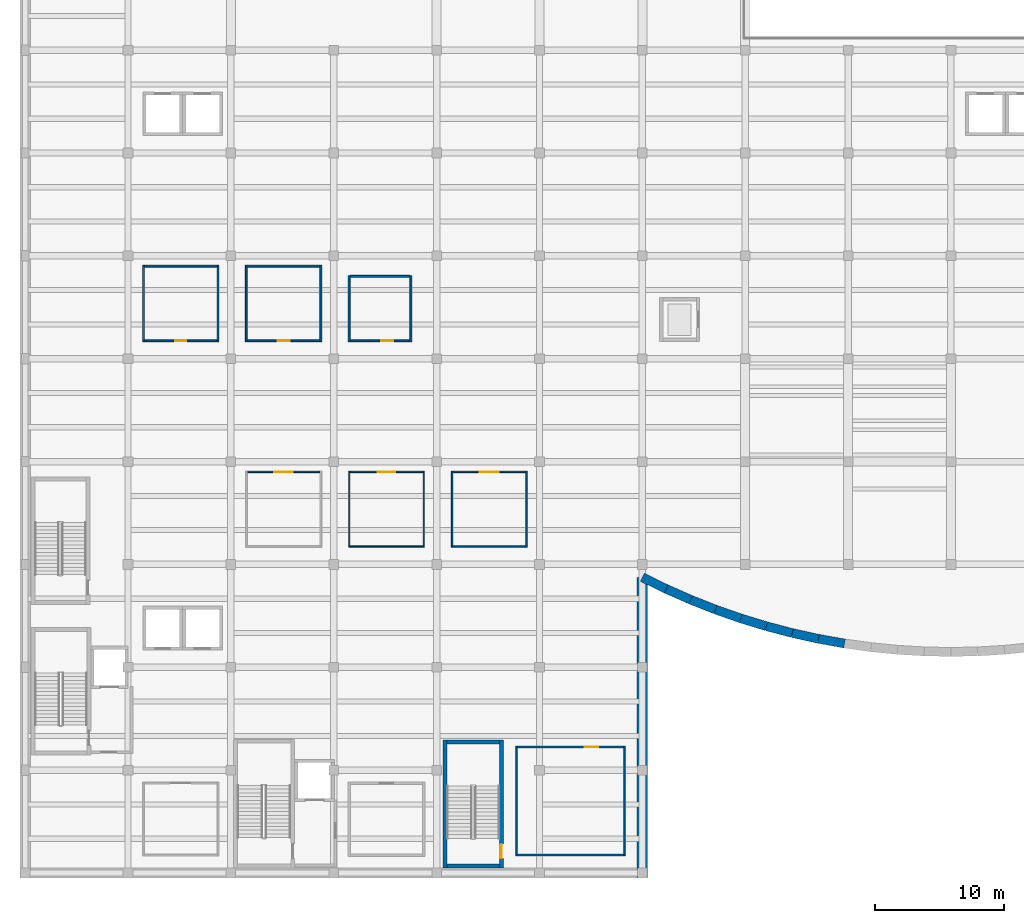
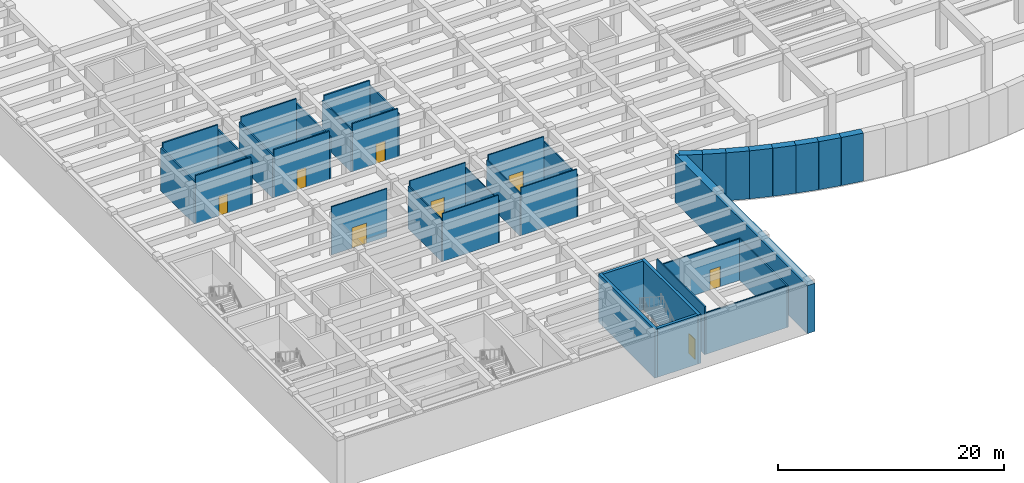
# One storey, part 6 of 19: 38 walls, 8 doors, 8 openings.
"""IFC4 building model written with IfcOpenShell, lengths in metres."""

from ifc_helpers import new_model, si_unit, direction, frame, frame_2d, origin, place, context, subcontext, project, spatial, rectangle, extrude, material, layer, layer_set, type_object, element, fill, save


model = new_model("IFC4")

# Units and contexts
model_context = context("Model", 3, precision=1e-05, world=origin(), true_north=direction((0.0, 1.0)))
body_context = subcontext(model_context, "Body", "Model", "MODEL_VIEW")
ifc_project = project(units=[si_unit("LENGTHUNIT", "METRE"), si_unit("AREAUNIT", "SQUARE_METRE"), si_unit("VOLUMEUNIT", "CUBIC_METRE"), si_unit("PLANEANGLEUNIT", "RADIAN"), si_unit("MASSUNIT", "GRAM", prefix="KILO")], contexts=[model_context])

# Site, building, storey
site_placement = place(None, origin())
site = spatial("IfcSite", under=ifc_project, at=site_placement, CompositionType="ELEMENT")
building_placement = place(site_placement, origin())
building = spatial("IfcBuilding", under=site, at=building_placement, Name="Drelvath Fold Interchange", CompositionType="ELEMENT")
storey_placement = place(building_placement, frame((0.0, 0.0, -5.60009765625)))
storey = spatial("IfcBuildingStorey", under=building, at=storey_placement, Name="B1", CompositionType="ELEMENT", Elevation=-5.60009765625)

# Wall
ifc_material_1 = material(Name="Concrete f'c 45 MPa (6500 psi)", Category="concrete")
ifc_layer_1 = layer(ifc_material_1, 0.300048828125, Name="Concrete f'c 45 MPa (6500 psi)")
ifc_layer_set_1 = layer_set([ifc_layer_1], Name="Concrete f'c 45 MPa (6500 psi)")
wall_type_1 = type_object("IfcWallType", Name="WL-CR300", PredefinedType="SHEAR", material=ifc_layer_set_1)
wall_1_placement = place(storey_placement, frame((36.800048828125, 3.550048828125, 0.0), z_axis=(0.0, 0.0, 1.0), x_axis=(1.0, 0.0, 0.0)))
element("IfcWall", 1, at=wall_1_placement, inside=storey, type_object=wall_type_1, Name="ST-04 B1 south core wall", PredefinedType="SHEAR", context=body_context, shape_type="SweptSolid", body=[
    extrude(rectangle(XDim=4.099853515625, YDim=0.300048828125, at=frame_2d((2.0498046875, 0.0))), origin(), (0.0, 0.0, 1.0), 5.275146484375),
])

# Wall, opening, door
wall_2_placement = place(storey_placement, frame((41.050048828125, 3.39990234375, 0.0), z_axis=(0.0, 0.0, 1.0), x_axis=(0.0, 1.0, 0.0)))
wall_2 = element("IfcWall", 2, at=wall_2_placement, inside=storey, type_object=wall_type_1, Name="ST-04 B1 east core wall", PredefinedType="SHEAR", context=body_context, shape_type="SweptSolid", body=[
    extrude(rectangle(XDim=9.9501953125, YDim=0.300048828125, at=frame_2d((4.97509765625, 0.0))), origin(), (0.0, 0.0, 1.0), 5.275146484375),
])
opening_1_placement = place(wall_2_placement, frame((0.75, 0.0, 0.0)))
opening_1 = element("IfcOpeningElement", 3, at=opening_1_placement, cuts=wall_2, Name="Opening D-B1-026", PredefinedType="OPENING", context=body_context, shape_type="SweptSolid", body=[
    extrude(rectangle(XDim=1.10009765625, YDim=2.14990234375, at=frame_2d((0.550048828125, 1.074951171875))), frame((0.0, 0.159912109375, 0.0), z_axis=(0.0, -1.0, 0.0), x_axis=(1.0, 0.0, 0.0)), (0.0, 0.0, 1.0), 0.320068359375),
])
ifc_material_2 = material(Name="Insulated Hollow Metal Door Assembly")
door_type_1 = type_object("IfcDoorType", Name="DR-ST1100", OperationType="NOTDEFINED", PredefinedType="DOOR", material=ifc_material_2)
door_1_placement = place(opening_1_placement, origin())
door_1 = element("IfcDoor", 4, at=door_1_placement, inside=storey, type_object=door_type_1, Name="ST-04 B1 stair fire door D-B1-026", OperationType="SINGLE_SWING_RIGHT", OverallHeight=2.14990234375, OverallWidth=1.10009765625, PredefinedType="DOOR", context=body_context, shape_type="SweptSolid", body=[
    extrude(rectangle(XDim=1.10009765625, YDim=2.14990234375, at=frame_2d((0.550048828125, 1.074951171875))), frame((0.0, 0.02490234375, 0.0), z_axis=(0.0, -1.0, 0.0), x_axis=(1.0, 0.0, 0.0)), (0.0, 0.0, 1.0), 0.050048828125),
])
fill(opening_1, door_1)

# Walls
wall_3_placement = place(storey_placement, frame((40.89990234375, 13.199951171875, 0.0), z_axis=(0.0, 0.0, 1.0), x_axis=(-1.0, 0.0, 0.0)))
element("IfcWall", 5, at=wall_3_placement, inside=storey, type_object=wall_type_1, Name="ST-04 B1 north core wall", PredefinedType="SHEAR", context=body_context, shape_type="SweptSolid", body=[
    extrude(rectangle(XDim=4.099853515625, YDim=0.300048828125, at=frame_2d((2.0498046875, 0.0))), origin(), (0.0, 0.0, 1.0), 5.275146484375),
])
wall_4_placement = place(storey_placement, frame((36.64990234375, 13.35009765625, 0.0), z_axis=(0.0, 0.0, 1.0), x_axis=(0.0, -1.0, 0.0)))
element("IfcWall", 6, at=wall_4_placement, inside=storey, type_object=wall_type_1, Name="ST-04 B1 west core wall", PredefinedType="SHEAR", context=body_context, shape_type="SweptSolid", body=[
    extrude(rectangle(XDim=9.9501953125, YDim=0.300048828125, at=frame_2d((4.97509765625, 0.0))), origin(), (0.0, 0.0, 1.0), 5.275146484375),
])
ifc_layer_2 = layer(ifc_material_1, 0.699951171875, Name="Concrete f'c 45 MPa (6500 psi)")
ifc_layer_set_2 = layer_set([ifc_layer_2], Name="Concrete f'c 45 MPa (6500 psi)")
wall_type_2 = type_object("IfcWallType", Name="WL-DW700", PredefinedType="SOLIDWALL", material=ifc_layer_set_2)
wall_5_placement = place(storey_placement, frame((52.0, 26.0, 0.0), z_axis=(0.0, 0.0, 1.0), x_axis=(0.898225606886, -0.439534707543, 0.0)))
element("IfcWall", 7, at=wall_5_placement, inside=storey, type_object=wall_type_2, Name="B1 diaphragm wall 39", PredefinedType="SOLIDWALL", context=body_context, shape_type="SweptSolid", body=[
    extrude(rectangle(XDim=2.077392578125, YDim=0.699951171875, at=frame_2d((1.03857421875, 0.0))), origin(), (0.0, 0.0, 1.0), 5.18017578125),
])
wall_6_placement = place(storey_placement, frame((53.865966796875, 25.0869140625, 0.0), z_axis=(0.0, 0.0, 1.0), x_axis=(0.914990571721, -0.403475220628, 0.0)))
element("IfcWall", 8, at=wall_6_placement, inside=storey, type_object=wall_type_2, Name="B1 diaphragm wall 40", PredefinedType="SOLIDWALL", context=body_context, shape_type="SweptSolid", body=[
    extrude(rectangle(XDim=2.07666015625, YDim=0.699951171875, at=frame_2d((1.038330078125, 0.0))), origin(), (0.0, 0.0, 1.0), 5.18017578125),
])
for number, where, z_axis, x_axis, name in (
    (9, (55.76611328125, 24.2490234375, 0.0), (0.0, 0.0, 1.0), (0.930097108534, -0.367313719723, 0.0), "B1 diaphragm wall 41"),
    (10, (57.697998046875, 23.486083984375, 0.0), (0.0, 0.0, 1.0), (0.944048769858, -0.329805882498, 0.0), "B1 diaphragm wall 42"),
):
    element("IfcWall", number, at=place(storey_placement, frame(where, z_axis=z_axis, x_axis=x_axis)), inside=storey, type_object=wall_type_2, Name=name, PredefinedType="SOLIDWALL", context=body_context, shape_type="SweptSolid", body=[
        extrude(rectangle(XDim=2.0771484375, YDim=0.699951171875, at=frame_2d((1.03857421875, 0.0))), origin(), (0.0, 0.0, 1.0), 5.18017578125),
    ])
wall_7_placement = place(storey_placement, frame((59.658935546875, 22.801025390625, 0.0), z_axis=(0.0, 0.0, 1.0), x_axis=(0.956341531937, -0.292251388862, 0.0)))
element("IfcWall", 11, at=wall_7_placement, inside=storey, type_object=wall_type_2, Name="B1 diaphragm wall 43", PredefinedType="SOLIDWALL", context=body_context, shape_type="SweptSolid", body=[
    extrude(rectangle(XDim=2.07666015625, YDim=0.699951171875, at=frame_2d((1.038330078125, 0.0))), origin(), (0.0, 0.0, 1.0), 5.18017578125),
])
wall_8_placement = place(storey_placement, frame((61.64501953125, 22.194091796875, 0.0), z_axis=(0.0, 0.0, 1.0), x_axis=(0.967031901637, -0.254655259551, 0.0)))
element("IfcWall", 12, at=wall_8_placement, inside=storey, type_object=wall_type_2, Name="B1 diaphragm wall 44", PredefinedType="SOLIDWALL", context=body_context, shape_type="SweptSolid", body=[
    extrude(rectangle(XDim=2.07763671875, YDim=0.699951171875, at=frame_2d((1.038818359375, 0.0))), origin(), (0.0, 0.0, 1.0), 5.18017578125),
])
wall_9_placement = place(storey_placement, frame((63.654052734375, 21.6650390625, 0.0), z_axis=(0.0, 0.0, 1.0), x_axis=(0.976454627241, -0.215722879965, 0.0)))
element("IfcWall", 13, at=wall_9_placement, inside=storey, type_object=wall_type_2, Name="B1 diaphragm wall 45", PredefinedType="SOLIDWALL", context=body_context, shape_type="SweptSolid", body=[
    extrude(rectangle(XDim=2.07666015625, YDim=0.699951171875, at=frame_2d((1.038330078125, 0.0))), origin(), (0.0, 0.0, 1.0), 5.18017578125),
])
wall_10_placement = place(storey_placement, frame((65.681884765625, 21.217041015625, 0.0), z_axis=(0.0, 0.0, 1.0), x_axis=(0.984186192965, -0.177137058736, 0.0)))
element("IfcWall", 14, at=wall_10_placement, inside=storey, type_object=wall_type_2, Name="B1 diaphragm wall 46", PredefinedType="SOLIDWALL", context=body_context, shape_type="SweptSolid", body=[
    extrude(rectangle(XDim=2.0771484375, YDim=0.699951171875, at=frame_2d((1.03857421875, 0.0))), origin(), (0.0, 0.0, 1.0), 5.18017578125),
])
ifc_layer_3 = layer(ifc_material_1, 0.800048828125, Name="Concrete f'c 45 MPa (6500 psi)")
ifc_layer_set_3 = layer_set([ifc_layer_3], Name="Concrete f'c 45 MPa (6500 psi)")
wall_type_3 = type_object("IfcWallType", Name="WL-DW800", PredefinedType="SOLIDWALL", material=ifc_layer_set_3)
wall_11_placement = place(storey_placement, frame((52.0, 2.60009765625, 0.0), z_axis=(0.0, 0.0, 1.0), x_axis=(0.0, 1.0, 0.0)))
element("IfcWall", 15, at=wall_11_placement, inside=storey, type_object=wall_type_3, Name="B1 diaphragm wall 33", PredefinedType="SOLIDWALL", context=body_context, shape_type="SweptSolid", body=[
    extrude(rectangle(XDim=23.39990234375, YDim=0.800048828125, at=frame_2d((11.699951171875, 0.0))), origin(), (0.0, 0.0, 1.0), 5.18017578125),
])
ifc_material_3 = material(Name="Acoustic Gypsum Board Partition Assembly")
ifc_layer_4 = layer(ifc_material_3, 0.10009765625, Name="Acoustic Gypsum Board Partition Assembly")
ifc_layer_set_4 = layer_set([ifc_layer_4], Name="Acoustic Gypsum Board Partition Assembly")
wall_type_4 = type_object("IfcWallType", Name="WL-PT100", PredefinedType="PARTITIONING", material=ifc_layer_set_4)
wall_12_placement = place(storey_placement, frame((29.25, 28.39990234375, 0.0), z_axis=(0.0, 0.0, 1.0), x_axis=(1.0, 0.0, 0.0)))
element("IfcWall", 16, at=wall_12_placement, inside=storey, type_object=wall_type_4, Name="Mezzanine Bakery and Coffee Kiosk S partition", PredefinedType="PARTITIONING", context=body_context, shape_type="SweptSolid", body=[
    extrude(rectangle(XDim=5.699951171875, YDim=0.10009765625, at=frame_2d((2.85009765625, 0.0))), origin(), (0.0, 0.0, 1.0), 5.18017578125),
])
wall_13_placement = place(storey_placement, frame((35.0, 28.35009765625, 0.0), z_axis=(0.0, 0.0, 1.0), x_axis=(0.0, 1.0, 0.0)))
element("IfcWall", 17, at=wall_13_placement, inside=storey, type_object=wall_type_4, Name="Mezzanine Bakery and Coffee Kiosk E partition", PredefinedType="PARTITIONING", context=body_context, shape_type="SweptSolid", body=[
    extrude(rectangle(XDim=5.89990234375, YDim=0.10009765625, at=frame_2d((2.949951171875, 0.0))), origin(), (0.0, 0.0, 1.0), 4.625),
])

# Wall, opening, door
wall_14_placement = place(storey_placement, frame((34.949951171875, 34.199951171875, 0.0), z_axis=(0.0, 0.0, 1.0), x_axis=(-1.0, 0.0, 0.0)))
wall_14 = element("IfcWall", 18, at=wall_14_placement, inside=storey, type_object=wall_type_4, Name="Mezzanine Bakery and Coffee Kiosk N partition", PredefinedType="PARTITIONING", context=body_context, shape_type="SweptSolid", body=[
    extrude(rectangle(XDim=5.699951171875, YDim=0.10009765625, at=frame_2d((2.85009765625, 0.0))), origin(), (0.0, 0.0, 1.0), 5.18017578125),
])
opening_2_placement = place(wall_14_placement, frame((2.169921875, 0.0, 0.0)))
opening_2 = element("IfcOpeningElement", 19, at=opening_2_placement, cuts=wall_14, Name="Opening D-B1-084", PredefinedType="OPENING", context=body_context, shape_type="SweptSolid", body=[
    extrude(rectangle(XDim=1.360107421875, YDim=2.179931640625, at=frame_2d((0.68017578125, 1.08984375))), frame((0.0, 0.06005859375, 0.0), z_axis=(0.0, -1.0, 0.0), x_axis=(1.0, 0.0, 0.0)), (0.0, 0.0, 1.0), 0.1201171875),
])
ifc_material_4 = material(Name="Anodized Aluminium Glazed Door Assembly", Category="aluminium")
door_type_2 = type_object("IfcDoorType", Name="DR-NR136", OperationType="DOUBLE_DOOR_SINGLE_SWING", PredefinedType="DOOR", material=ifc_material_4)
door_2_placement = place(opening_2_placement, origin())
door_2 = element("IfcDoor", 20, at=door_2_placement, inside=storey, type_object=door_type_2, Name="Mezzanine Bakery and Coffee Kiosk door D-B1-084", OperationType="DOUBLE_DOOR_SINGLE_SWING", OverallHeight=2.179931640625, OverallWidth=1.360107421875, PredefinedType="DOOR", context=body_context, shape_type="SweptSolid", body=[
    extrude(rectangle(XDim=1.360107421875, YDim=2.179931640625, at=frame_2d((0.68017578125, 1.08984375))), frame((0.0, 0.02490234375, 0.0), z_axis=(0.0, -1.0, 0.0), x_axis=(1.0, 0.0, 0.0)), (0.0, 0.0, 1.0), 0.050048828125),
])
fill(opening_2, door_2)

# Wall
wall_15_placement = place(storey_placement, frame((29.199951171875, 34.25, 0.0), z_axis=(0.0, 0.0, 1.0), x_axis=(0.0, -1.0, 0.0)))
element("IfcWall", 21, at=wall_15_placement, inside=storey, type_object=wall_type_4, Name="Mezzanine Bakery and Coffee Kiosk W partition", PredefinedType="PARTITIONING", context=body_context, shape_type="SweptSolid", body=[
    extrude(rectangle(XDim=5.89990234375, YDim=0.10009765625, at=frame_2d((2.949951171875, 0.0))), origin(), (0.0, 0.0, 1.0), 4.625),
])

# Wall, opening, door
ifc_layer_5 = layer(ifc_material_3, 0.114990234375, Name="Acoustic Gypsum Board Partition Assembly")
ifc_layer_set_5 = layer_set([ifc_layer_5], Name="Acoustic Gypsum Board Partition Assembly")
wall_type_5 = type_object("IfcWallType", Name="WL-PT115", PredefinedType="PARTITIONING", material=ifc_layer_set_5)
wall_16_placement = place(storey_placement, frame((26.94189453125, 34.199951171875, 0.0), z_axis=(0.0, 0.0, 1.0), x_axis=(-1.0, 0.0, 0.0)))
wall_16 = element("IfcWall", 22, at=wall_16_placement, inside=storey, type_object=wall_type_5, Name="Mezzanine Convenience Retail Unit 1 N partition", PredefinedType="PARTITIONING", context=body_context, shape_type="SweptSolid", body=[
    extrude(rectangle(XDim=5.683837890625, YDim=0.114990234375, at=frame_2d((2.841796875, 0.0))), origin(), (0.0, 0.0, 1.0), 5.18017578125),
])
opening_3_placement = place(wall_16_placement, frame((2.112060546875, 0.0, 0.0)))
opening_3 = element("IfcOpeningElement", 23, at=opening_3_placement, cuts=wall_16, Name="Opening D-B1-083", PredefinedType="OPENING", context=body_context, shape_type="SweptSolid", body=[
    extrude(rectangle(XDim=1.4599609375, YDim=2.199951171875, at=frame_2d((0.72998046875, 1.10009765625))), frame((0.0, 0.0673828125, 0.0), z_axis=(0.0, -1.0, 0.0), x_axis=(1.0, 0.0, 0.0)), (0.0, 0.0, 1.0), 0.135009765625),
])
door_type_3 = type_object("IfcDoorType", Name="DR-NR146", OperationType="DOUBLE_DOOR_SINGLE_SWING", PredefinedType="DOOR", material=ifc_material_4)
door_3_placement = place(opening_3_placement, origin())
door_3 = element("IfcDoor", 24, at=door_3_placement, inside=storey, type_object=door_type_3, Name="Mezzanine Convenience Retail Unit 1 door D-B1-083", OperationType="DOUBLE_DOOR_SINGLE_SWING", OverallHeight=2.199951171875, OverallWidth=1.4599609375, PredefinedType="DOOR", context=body_context, shape_type="SweptSolid", body=[
    extrude(rectangle(XDim=1.4599609375, YDim=2.199951171875, at=frame_2d((0.72998046875, 1.10009765625))), frame((0.0, 0.02490234375, 0.0), z_axis=(0.0, -1.0, 0.0), x_axis=(1.0, 0.0, 0.0)), (0.0, 0.0, 1.0), 0.050048828125),
])
fill(opening_3, door_3)

# Walls
wall_17_placement = place(storey_placement, frame((37.258056640625, 28.39990234375, 0.0), z_axis=(0.0, 0.0, 1.0), x_axis=(1.0, 0.0, 0.0)))
element("IfcWall", 25, at=wall_17_placement, inside=storey, type_object=wall_type_5, Name="Commuter Pharmacy Retail Unit S partition", PredefinedType="PARTITIONING", context=body_context, shape_type="SweptSolid", body=[
    extrude(rectangle(XDim=5.68505859375, YDim=0.114990234375, at=frame_2d((2.842529296875, 0.0))), origin(), (0.0, 0.0, 1.0), 5.18017578125),
])
wall_18_placement = place(storey_placement, frame((43.0, 28.342041015625, 0.0), z_axis=(0.0, 0.0, 1.0), x_axis=(0.0, 1.0, 0.0)))
element("IfcWall", 26, at=wall_18_placement, inside=storey, type_object=wall_type_5, Name="Commuter Pharmacy Retail Unit E partition", PredefinedType="PARTITIONING", context=body_context, shape_type="SweptSolid", body=[
    extrude(rectangle(XDim=5.916015625, YDim=0.114990234375, at=frame_2d((2.9580078125, 0.0))), origin(), (0.0, 0.0, 1.0), 4.625),
])

# Wall, opening, door
wall_19_placement = place(storey_placement, frame((42.943115234375, 34.199951171875, 0.0), z_axis=(0.0, 0.0, 1.0), x_axis=(-1.0, 0.0, 0.0)))
wall_19 = element("IfcWall", 27, at=wall_19_placement, inside=storey, type_object=wall_type_5, Name="Commuter Pharmacy Retail Unit N partition", PredefinedType="PARTITIONING", context=body_context, shape_type="SweptSolid", body=[
    extrude(rectangle(XDim=5.68505859375, YDim=0.114990234375, at=frame_2d((2.842529296875, 0.0))), origin(), (0.0, 0.0, 1.0), 5.18017578125),
])
opening_4_placement = place(wall_19_placement, frame((2.112060546875, 0.0, 0.0)))
opening_4 = element("IfcOpeningElement", 28, at=opening_4_placement, cuts=wall_19, Name="Opening D-B1-085", PredefinedType="OPENING", context=body_context, shape_type="SweptSolid", body=[
    extrude(rectangle(XDim=1.4599609375, YDim=2.199951171875, at=frame_2d((0.72998046875, 1.10009765625))), frame((0.0, 0.0673828125, 0.0), z_axis=(0.0, -1.0, 0.0), x_axis=(1.0, 0.0, 0.0)), (0.0, 0.0, 1.0), 0.135009765625),
])
door_4_placement = place(opening_4_placement, origin())
door_4 = element("IfcDoor", 29, at=door_4_placement, inside=storey, type_object=door_type_3, Name="Commuter Pharmacy Retail Unit door D-B1-085", OperationType="DOUBLE_DOOR_SINGLE_SWING", OverallHeight=2.199951171875, OverallWidth=1.4599609375, PredefinedType="DOOR", context=body_context, shape_type="SweptSolid", body=[
    extrude(rectangle(XDim=1.4599609375, YDim=2.199951171875, at=frame_2d((0.72998046875, 1.10009765625))), frame((0.0, 0.02490234375, 0.0), z_axis=(0.0, -1.0, 0.0), x_axis=(1.0, 0.0, 0.0)), (0.0, 0.0, 1.0), 0.050048828125),
])
fill(opening_4, door_4)

# Walls
wall_20_placement = place(storey_placement, frame((37.199951171875, 34.258056640625, 0.0), z_axis=(0.0, 0.0, 1.0), x_axis=(0.0, -1.0, 0.0)))
element("IfcWall", 30, at=wall_20_placement, inside=storey, type_object=wall_type_5, Name="Commuter Pharmacy Retail Unit W partition", PredefinedType="PARTITIONING", context=body_context, shape_type="SweptSolid", body=[
    extrude(rectangle(XDim=5.916015625, YDim=0.114990234375, at=frame_2d((2.9580078125, 0.0))), origin(), (0.0, 0.0, 1.0), 4.625),
])
ifc_layer_6 = layer(ifc_material_3, 0.1298828125, Name="Acoustic Gypsum Board Partition Assembly")
ifc_layer_set_6 = layer_set([ifc_layer_6], Name="Acoustic Gypsum Board Partition Assembly")
wall_type_6 = type_object("IfcWallType", Name="WL-PT130", PredefinedType="PARTITIONING", material=ifc_layer_set_6)
wall_21_placement = place(storey_placement, frame((42.264892578125, 4.39990234375, 0.0), z_axis=(0.0, 0.0, 1.0), x_axis=(1.0, 0.0, 0.0)))
element("IfcWall", 31, at=wall_21_placement, inside=storey, type_object=wall_type_6, Name="Transit Police Precinct Suite S partition", PredefinedType="PARTITIONING", context=body_context, shape_type="SweptSolid", body=[
    extrude(rectangle(XDim=8.27001953125, YDim=0.1298828125, at=frame_2d((4.135009765625, 0.0))), origin(), (0.0, 0.0, 1.0), 4.47509765625),
])
wall_22_placement = place(storey_placement, frame((50.60009765625, 4.3349609375, 0.0), z_axis=(0.0, 0.0, 1.0), x_axis=(0.0, 1.0, 0.0)))
element("IfcWall", 32, at=wall_22_placement, inside=storey, type_object=wall_type_6, Name="Transit Police Precinct Suite E partition", PredefinedType="PARTITIONING", context=body_context, shape_type="SweptSolid", body=[
    extrude(rectangle(XDim=8.530029296875, YDim=0.1298828125, at=frame_2d((4.26513671875, 0.0))), origin(), (0.0, 0.0, 1.0), 4.47509765625),
])

# Wall, opening, door
wall_23_placement = place(storey_placement, frame((50.534912109375, 12.800048828125, 0.0), z_axis=(0.0, 0.0, 1.0), x_axis=(-1.0, 0.0, 0.0)))
wall_23 = element("IfcWall", 33, at=wall_23_placement, inside=storey, type_object=wall_type_6, Name="Transit Police Precinct Suite N partition", PredefinedType="PARTITIONING", context=body_context, shape_type="SweptSolid", body=[
    extrude(rectangle(XDim=8.27001953125, YDim=0.1298828125, at=frame_2d((4.135009765625, 0.0))), origin(), (0.0, 0.0, 1.0), 4.47509765625),
])
opening_5_placement = place(wall_23_placement, frame((1.9609375, 0.0, 0.0)))
opening_5 = element("IfcOpeningElement", 34, at=opening_5_placement, cuts=wall_23, Name="Opening D-B1-082", PredefinedType="OPENING", context=body_context, shape_type="SweptSolid", body=[
    extrude(rectangle(XDim=1.0400390625, YDim=2.159912109375, at=frame_2d((0.52001953125, 1.080078125))), frame((0.0, 0.074951171875, 0.0), z_axis=(0.0, -1.0, 0.0), x_axis=(1.0, 0.0, 0.0)), (0.0, 0.0, 1.0), 0.14990234375),
])
door_type_4 = type_object("IfcDoorType", Name="DR-NR104", OperationType="NOTDEFINED", PredefinedType="DOOR", material=ifc_material_4)
door_5_placement = place(opening_5_placement, origin())
door_5 = element("IfcDoor", 35, at=door_5_placement, inside=storey, type_object=door_type_4, Name="Transit Police Precinct Suite door D-B1-082", OperationType="SINGLE_SWING_LEFT", OverallHeight=2.159912109375, OverallWidth=1.0400390625, PredefinedType="DOOR", context=body_context, shape_type="SweptSolid", body=[
    extrude(rectangle(XDim=1.0400390625, YDim=2.159912109375, at=frame_2d((0.52001953125, 1.080078125))), frame((0.0, 0.02490234375, 0.0), z_axis=(0.0, -1.0, 0.0), x_axis=(1.0, 0.0, 0.0)), (0.0, 0.0, 1.0), 0.050048828125),
])
fill(opening_5, door_5)

# Wall
wall_24_placement = place(storey_placement, frame((42.199951171875, 12.864990234375, 0.0), z_axis=(0.0, 0.0, 1.0), x_axis=(0.0, -1.0, 0.0)))
element("IfcWall", 36, at=wall_24_placement, inside=storey, type_object=wall_type_6, Name="Transit Police Precinct Suite W partition", PredefinedType="PARTITIONING", context=body_context, shape_type="SweptSolid", body=[
    extrude(rectangle(XDim=8.530029296875, YDim=0.1298828125, at=frame_2d((4.26513671875, 0.0))), origin(), (0.0, 0.0, 1.0), 5.18017578125),
])

# Wall, opening, door
ifc_layer_7 = layer(ifc_material_3, 0.14501953125, Name="Acoustic Gypsum Board Partition Assembly")
ifc_layer_set_7 = layer_set([ifc_layer_7], Name="Acoustic Gypsum Board Partition Assembly")
wall_type_7 = type_object("IfcWallType", Name="WL-PT145", PredefinedType="PARTITIONING", material=ifc_layer_set_7)
wall_25_placement = place(storey_placement, frame((13.27197265625, 44.39990234375, 0.0), z_axis=(0.0, 0.0, 1.0), x_axis=(1.0, 0.0, 0.0)))
wall_25 = element("IfcWall", 37, at=wall_25_placement, inside=storey, type_object=wall_type_7, Name="Mezzanine Public Washroom Men S partition", PredefinedType="PARTITIONING", context=body_context, shape_type="SweptSolid", body=[
    extrude(rectangle(XDim=5.655029296875, YDim=0.14501953125, at=frame_2d((2.82763671875, 0.0))), origin(), (0.0, 0.0, 1.0), 5.18017578125),
])
opening_6_placement = place(wall_25_placement, frame((2.386962890625, 0.0, 0.0)))
opening_6 = element("IfcOpeningElement", 38, at=opening_6_placement, cuts=wall_25, Name="Opening D-B1-086", PredefinedType="OPENING", context=body_context, shape_type="SweptSolid", body=[
    extrude(rectangle(XDim=0.8798828125, YDim=2.080078125, at=frame_2d((0.43994140625, 1.0400390625))), frame((0.0, 0.08251953125, 0.0), z_axis=(0.0, -1.0, 0.0), x_axis=(1.0, 0.0, 0.0)), (0.0, 0.0, 1.0), 0.1650390625),
])
door_type_5 = type_object("IfcDoorType", Name="DR-NR088", OperationType="NOTDEFINED", PredefinedType="DOOR", material=ifc_material_4)
door_6_placement = place(opening_6_placement, origin())
door_6 = element("IfcDoor", 39, at=door_6_placement, inside=storey, type_object=door_type_5, Name="Mezzanine Public Washroom Men door D-B1-086", OperationType="SINGLE_SWING_RIGHT", OverallHeight=2.080078125, OverallWidth=0.8798828125, PredefinedType="DOOR", context=body_context, shape_type="SweptSolid", body=[
    extrude(rectangle(XDim=0.8798828125, YDim=2.080078125, at=frame_2d((0.43994140625, 1.0400390625))), frame((0.0, 0.02490234375, 0.0), z_axis=(0.0, -1.0, 0.0), x_axis=(1.0, 0.0, 0.0)), (0.0, 0.0, 1.0), 0.050048828125),
])
fill(opening_6, door_6)

# Walls
wall_26_placement = place(storey_placement, frame((19.0, 44.327880859375, 0.0), z_axis=(0.0, 0.0, 1.0), x_axis=(0.0, 1.0, 0.0)))
element("IfcWall", 40, at=wall_26_placement, inside=storey, type_object=wall_type_7, Name="Mezzanine Public Washroom Men E partition", PredefinedType="PARTITIONING", context=body_context, shape_type="SweptSolid", body=[
    extrude(rectangle(XDim=5.945068359375, YDim=0.14501953125, at=frame_2d((2.97265625, 0.0))), origin(), (0.0, 0.0, 1.0), 4.625),
])
wall_27_placement = place(storey_placement, frame((18.927001953125, 50.199951171875, 0.0), z_axis=(0.0, 0.0, 1.0), x_axis=(-1.0, 0.0, 0.0)))
element("IfcWall", 41, at=wall_27_placement, inside=storey, type_object=wall_type_7, Name="Mezzanine Public Washroom Men N partition", PredefinedType="PARTITIONING", context=body_context, shape_type="SweptSolid", body=[
    extrude(rectangle(XDim=5.655029296875, YDim=0.14501953125, at=frame_2d((2.82763671875, 0.0))), origin(), (0.0, 0.0, 1.0), 5.18017578125),
])
wall_28_placement = place(storey_placement, frame((13.199951171875, 50.27294921875, 0.0), z_axis=(0.0, 0.0, 1.0), x_axis=(0.0, -1.0, 0.0)))
element("IfcWall", 42, at=wall_28_placement, inside=storey, type_object=wall_type_7, Name="Mezzanine Public Washroom Men W partition", PredefinedType="PARTITIONING", context=body_context, shape_type="SweptSolid", body=[
    extrude(rectangle(XDim=5.945068359375, YDim=0.14501953125, at=frame_2d((2.97265625, 0.0))), origin(), (0.0, 0.0, 1.0), 4.625),
])

# Wall, opening, door
wall_29_placement = place(storey_placement, frame((21.27294921875, 44.39990234375, 0.0), z_axis=(0.0, 0.0, 1.0), x_axis=(1.0, 0.0, 0.0)))
wall_29 = element("IfcWall", 43, at=wall_29_placement, inside=storey, type_object=wall_type_7, Name="Mezzanine Public Washroom Women S partition", PredefinedType="PARTITIONING", context=body_context, shape_type="SweptSolid", body=[
    extrude(rectangle(XDim=5.654052734375, YDim=0.14501953125, at=frame_2d((2.8271484375, 0.0))), origin(), (0.0, 0.0, 1.0), 5.18017578125),
])
opening_7_placement = place(wall_29_placement, frame((2.366943359375, 0.0, 0.0)))
opening_7 = element("IfcOpeningElement", 44, at=opening_7_placement, cuts=wall_29, Name="Opening D-B1-087", PredefinedType="OPENING", context=body_context, shape_type="SweptSolid", body=[
    extrude(rectangle(XDim=0.919921875, YDim=2.10009765625, at=frame_2d((0.4599609375, 1.050048828125))), frame((0.0, 0.08251953125, 0.0), z_axis=(0.0, -1.0, 0.0), x_axis=(1.0, 0.0, 0.0)), (0.0, 0.0, 1.0), 0.1650390625),
])
door_type_6 = type_object("IfcDoorType", Name="DR-NR092", OperationType="NOTDEFINED", PredefinedType="DOOR", material=ifc_material_4)
door_7_placement = place(opening_7_placement, origin())
door_7 = element("IfcDoor", 45, at=door_7_placement, inside=storey, type_object=door_type_6, Name="Mezzanine Public Washroom Women door D-B1-087", OperationType="SINGLE_SWING_LEFT", OverallHeight=2.10009765625, OverallWidth=0.919921875, PredefinedType="DOOR", context=body_context, shape_type="SweptSolid", body=[
    extrude(rectangle(XDim=0.919921875, YDim=2.10009765625, at=frame_2d((0.4599609375, 1.050048828125))), frame((0.0, 0.02490234375, 0.0), z_axis=(0.0, -1.0, 0.0), x_axis=(1.0, 0.0, 0.0)), (0.0, 0.0, 1.0), 0.050048828125),
])
fill(opening_7, door_7)

# Walls
wall_30_placement = place(storey_placement, frame((27.0, 44.327880859375, 0.0), z_axis=(0.0, 0.0, 1.0), x_axis=(0.0, 1.0, 0.0)))
element("IfcWall", 46, at=wall_30_placement, inside=storey, type_object=wall_type_7, Name="Mezzanine Public Washroom Women E partition", PredefinedType="PARTITIONING", context=body_context, shape_type="SweptSolid", body=[
    extrude(rectangle(XDim=5.945068359375, YDim=0.14501953125, at=frame_2d((2.97265625, 0.0))), origin(), (0.0, 0.0, 1.0), 4.625),
])
wall_31_placement = place(storey_placement, frame((26.927001953125, 50.199951171875, 0.0), z_axis=(0.0, 0.0, 1.0), x_axis=(-1.0, 0.0, 0.0)))
element("IfcWall", 47, at=wall_31_placement, inside=storey, type_object=wall_type_7, Name="Mezzanine Public Washroom Women N partition", PredefinedType="PARTITIONING", context=body_context, shape_type="SweptSolid", body=[
    extrude(rectangle(XDim=5.654052734375, YDim=0.14501953125, at=frame_2d((2.8271484375, 0.0))), origin(), (0.0, 0.0, 1.0), 5.18017578125),
])
wall_32_placement = place(storey_placement, frame((21.199951171875, 50.27294921875, 0.0), z_axis=(0.0, 0.0, 1.0), x_axis=(0.0, -1.0, 0.0)))
element("IfcWall", 48, at=wall_32_placement, inside=storey, type_object=wall_type_7, Name="Mezzanine Public Washroom Women W partition", PredefinedType="PARTITIONING", context=body_context, shape_type="SweptSolid", body=[
    extrude(rectangle(XDim=5.945068359375, YDim=0.14501953125, at=frame_2d((2.97265625, 0.0))), origin(), (0.0, 0.0, 1.0), 4.625),
])

# Wall, opening, door
wall_33_placement = place(storey_placement, frame((29.27294921875, 44.39990234375, 0.0), z_axis=(0.0, 0.0, 1.0), x_axis=(1.0, 0.0, 0.0)))
wall_33 = element("IfcWall", 49, at=wall_33_placement, inside=storey, type_object=wall_type_7, Name="Mezzanine Accessible WC S partition", PredefinedType="PARTITIONING", context=body_context, shape_type="SweptSolid", body=[
    extrude(rectangle(XDim=4.655029296875, YDim=0.14501953125, at=frame_2d((2.32763671875, 0.0))), origin(), (0.0, 0.0, 1.0), 5.18017578125),
])
opening_8_placement = place(wall_33_placement, frame((2.406005859375, 0.0, 0.0)))
opening_8 = element("IfcOpeningElement", 50, at=opening_8_placement, cuts=wall_33, Name="Opening D-B1-088", PredefinedType="OPENING", context=body_context, shape_type="SweptSolid", body=[
    extrude(rectangle(XDim=0.9599609375, YDim=2.1201171875, at=frame_2d((0.47998046875, 1.06005859375))), frame((0.0, 0.08251953125, 0.0), z_axis=(0.0, -1.0, 0.0), x_axis=(1.0, 0.0, 0.0)), (0.0, 0.0, 1.0), 0.1650390625),
])
door_type_7 = type_object("IfcDoorType", Name="DR-NR096", OperationType="NOTDEFINED", PredefinedType="DOOR", material=ifc_material_4)
door_8_placement = place(opening_8_placement, frame((0.9599609375, 0.0, 0.0), z_axis=(0.0, 0.0, 1.0), x_axis=(-1.0, 0.0, 0.0)))
door_8 = element("IfcDoor", 51, at=door_8_placement, inside=storey, type_object=door_type_7, Name="Mezzanine Accessible WC door D-B1-088", OperationType="SINGLE_SWING_RIGHT", OverallHeight=2.1201171875, OverallWidth=0.9599609375, PredefinedType="DOOR", context=body_context, shape_type="SweptSolid", body=[
    extrude(rectangle(XDim=0.9599609375, YDim=2.1201171875, at=frame_2d((0.47998046875, 1.06005859375))), frame((0.0, 0.02490234375, 0.0), z_axis=(0.0, -1.0, 0.0), x_axis=(1.0, 0.0, 0.0)), (0.0, 0.0, 1.0), 0.050048828125),
])
fill(opening_8, door_8)

# Walls
wall_34_placement = place(storey_placement, frame((34.0, 44.327880859375, 0.0), z_axis=(0.0, 0.0, 1.0), x_axis=(0.0, 1.0, 0.0)))
element("IfcWall", 52, at=wall_34_placement, inside=storey, type_object=wall_type_7, Name="Mezzanine Accessible WC E partition", PredefinedType="PARTITIONING", context=body_context, shape_type="SweptSolid", body=[
    extrude(rectangle(XDim=5.14404296875, YDim=0.14501953125, at=frame_2d((2.572021484375, 0.0))), origin(), (0.0, 0.0, 1.0), 4.625),
])
wall_35_placement = place(storey_placement, frame((33.927978515625, 49.39990234375, 0.0), z_axis=(0.0, 0.0, 1.0), x_axis=(-1.0, 0.0, 0.0)))
element("IfcWall", 53, at=wall_35_placement, inside=storey, type_object=wall_type_7, Name="Mezzanine Accessible WC N partition", PredefinedType="PARTITIONING", context=body_context, shape_type="SweptSolid", body=[
    extrude(rectangle(XDim=4.655029296875, YDim=0.14501953125, at=frame_2d((2.32763671875, 0.0))), origin(), (0.0, 0.0, 1.0), 5.18017578125),
])
wall_36_placement = place(storey_placement, frame((29.199951171875, 49.471923828125, 0.0), z_axis=(0.0, 0.0, 1.0), x_axis=(0.0, -1.0, 0.0)))
element("IfcWall", 54, at=wall_36_placement, inside=storey, type_object=wall_type_7, Name="Mezzanine Accessible WC W partition", PredefinedType="PARTITIONING", context=body_context, shape_type="SweptSolid", body=[
    extrude(rectangle(XDim=5.14404296875, YDim=0.14501953125, at=frame_2d((2.572021484375, 0.0))), origin(), (0.0, 0.0, 1.0), 4.625),
])

save(model, "model.ifc")
